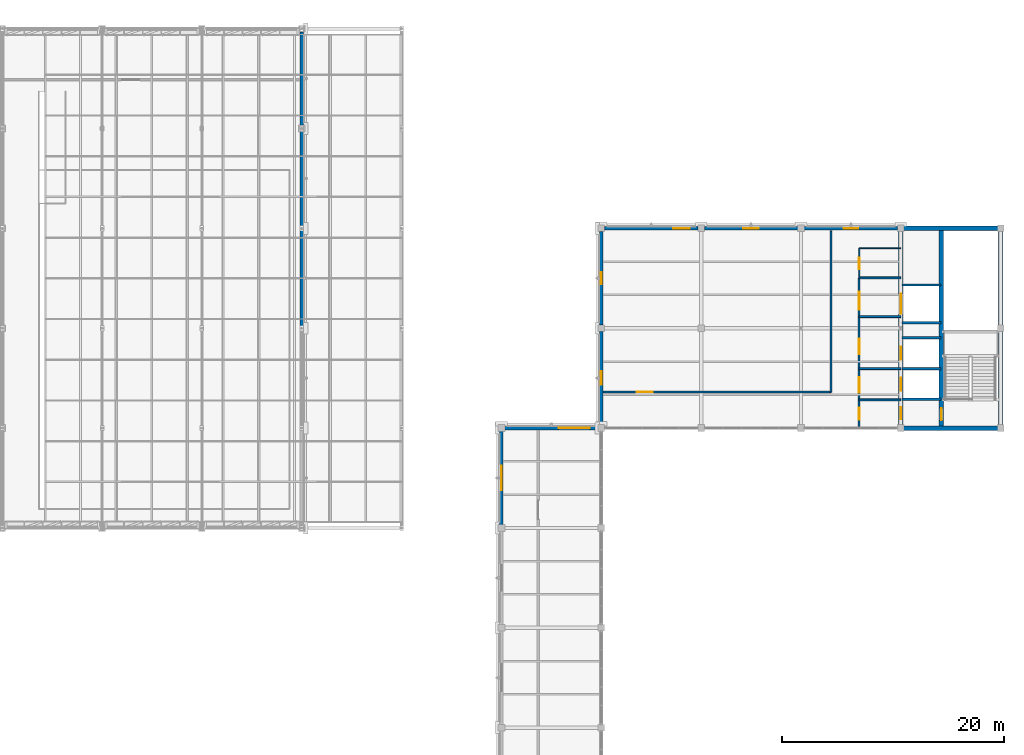
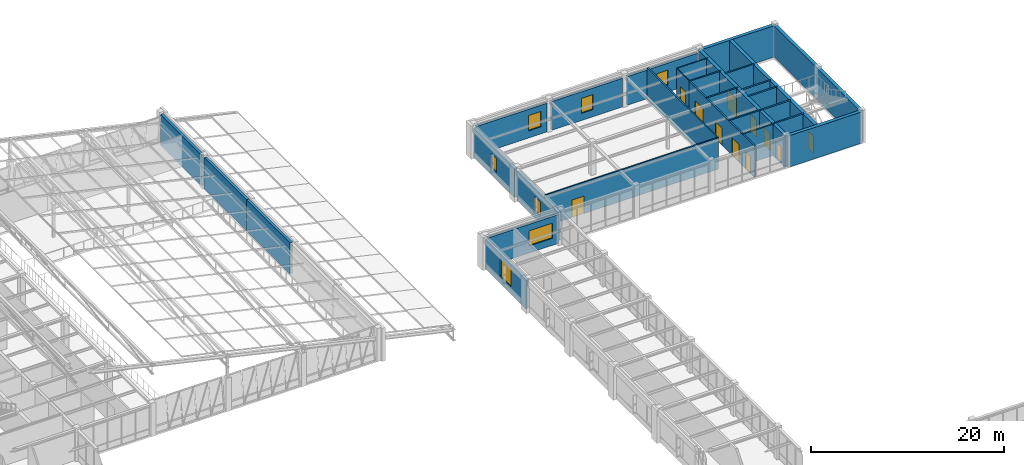
# One storey, part 116 of 130: 29 walls, 11 doors, 7 windows, 18 openings.
"""IFC4 building model written with IfcOpenShell, lengths in metres."""

from ifc_helpers import new_model, si_unit, direction, frame, frame_2d, origin, place, context, subcontext, project, spatial, rectangle, extrude, material, layer, layer_set, type_object, element, fill, save


model = new_model("IFC4")

# Units and contexts
model_context = context("Model", 3, precision=1e-05, world=origin(), true_north=direction((0.0, 1.0)))
body_context = subcontext(model_context, "Body", "Model", "MODEL_VIEW")
ifc_project = project(units=[si_unit("LENGTHUNIT", "METRE"), si_unit("AREAUNIT", "SQUARE_METRE"), si_unit("VOLUMEUNIT", "CUBIC_METRE"), si_unit("PLANEANGLEUNIT", "RADIAN"), si_unit("MASSUNIT", "GRAM", prefix="KILO")], contexts=[model_context])

# Site, building, storey
site_placement = place(None, origin())
site = spatial("IfcSite", under=ifc_project, at=site_placement, CompositionType="ELEMENT")
building_placement = place(site_placement, origin())
building = spatial("IfcBuilding", under=site, at=building_placement, Name="Lykobir Media Centre", CompositionType="ELEMENT")
storey_placement = place(building_placement, frame((0.0, 0.0, 19.199951171875)))
storey = spatial("IfcBuildingStorey", under=building, at=storey_placement, Name="L04", CompositionType="ELEMENT", Elevation=19.199951171875)

# Walls
ifc_material_1 = material(Name="Glazed Turquoise Terracotta", Category="masonry")
ifc_layer_1 = layer(ifc_material_1, 0.31005859375, Name="Glazed Turquoise Terracotta")
ifc_layer_set_1 = layer_set([ifc_layer_1], Name="Glazed Turquoise Terracotta")
wall_type_1 = type_object("IfcWallType", Name="EW-TER-310", PredefinedType="STANDARD", material=ifc_layer_set_1)
wall_1_placement = place(storey_placement, frame((72.0, 80.925048828125, 0.0), z_axis=(0.0, 0.0, 1.0), x_axis=(0.0, 1.0, 0.0)))
element("IfcWall", 1, at=wall_1_placement, inside=storey, type_object=wall_type_1, Name="Exterior wall WALL-L04-0281", PredefinedType="STANDARD", context=body_context, shape_type="SweptSolid", body=[
    extrude(rectangle(XDim=9.14990234375, YDim=0.31005859375, at=frame_2d((4.574951171875, 0.0))), origin(), (0.0, 0.0, 1.0), 3.93994140625),
])
wall_2_placement = place(storey_placement, frame((72.0, 89.925048828125, 0.0), z_axis=(0.0, 0.0, 1.0), x_axis=(0.0, 1.0, 0.0)))
element("IfcWall", 2, at=wall_2_placement, inside=storey, type_object=wall_type_1, Name="Exterior wall WALL-L04-0282", PredefinedType="STANDARD", context=body_context, shape_type="SweptSolid", body=[
    extrude(rectangle(XDim=8.7900390625, YDim=0.31005859375, at=frame_2d((4.39501953125, 0.0))), origin(), (0.0, 0.0, 1.0), 3.93994140625),
])
wall_3_placement = place(storey_placement, frame((72.0, 99.284912109375, 0.0), z_axis=(0.0, 0.0, 1.0), x_axis=(0.0, 1.0, 0.0)))
element("IfcWall", 3, at=wall_3_placement, inside=storey, type_object=wall_type_1, Name="Exterior wall WALL-L04-0283", PredefinedType="STANDARD", context=body_context, shape_type="SweptSolid", body=[
    extrude(rectangle(XDim=8.43017578125, YDim=0.31005859375, at=frame_2d((4.215087890625, 0.0))), origin(), (0.0, 0.0, 1.0), 3.93994140625),
])

# Wall, opening, window
wall_4_placement = place(storey_placement, frame((98.715087890625, 72.0, 0.0), z_axis=(0.0, 0.0, 1.0), x_axis=(-1.0, 0.0, 0.0)))
wall_4 = element("IfcWall", 4, at=wall_4_placement, inside=storey, type_object=wall_type_1, Name="Exterior wall WALL-L04-0294", PredefinedType="STANDARD", context=body_context, shape_type="SweptSolid", body=[
    extrude(rectangle(XDim=8.43017578125, YDim=0.31005859375, at=frame_2d((4.215087890625, 0.0))), origin(), (0.0, 0.0, 1.0), 3.623046875),
])
opening_1_placement = place(wall_4_placement, frame((0.75, 0.0, 0.89990234375)))
opening_1 = element("IfcOpeningElement", 5, at=opening_1_placement, cuts=wall_4, Name="Opening WN-2800x1900", PredefinedType="OPENING", context=body_context, shape_type="SweptSolid", body=[
    extrude(rectangle(XDim=2.800048828125, YDim=1.89990234375, at=frame_2d((1.39990234375, 0.949951171875))), frame((0.0, 0.1650390625, 0.0), z_axis=(0.0, -1.0, 0.0), x_axis=(1.0, 0.0, 0.0)), (0.0, 0.0, 1.0), 0.330078125),
])
ifc_material_2 = material(Name="Low-E Laminated Triple Glazing", Category="glass")
window_type_1 = type_object("IfcWindowType", Name="WN-2800x1900", PartitioningType="SINGLE_PANEL", PredefinedType="WINDOW", material=ifc_material_2)
window_1_placement = place(opening_1_placement, origin())
window_1 = element("IfcWindow", 6, at=window_1_placement, inside=storey, type_object=window_type_1, Name="Window WIN-L04-0108", OverallHeight=1.89990234375, OverallWidth=2.800048828125, PartitioningType="SINGLE_PANEL", PredefinedType="WINDOW", context=body_context, shape_type="SweptSolid", body=[
    extrude(rectangle(XDim=2.800048828125, YDim=1.89990234375, at=frame_2d((1.39990234375, 0.949951171875))), frame((0.0, 0.030029296875, 0.0), z_axis=(0.0, -1.0, 0.0), x_axis=(1.0, 0.0, 0.0)), (0.0, 0.0, 1.0), 0.06005859375),
])
fill(opening_1, window_1)

wall_5_placement = place(storey_placement, frame((90.0, 71.715087890625, 0.0), z_axis=(0.0, 0.0, 1.0), x_axis=(0.0, -1.0, 0.0)))
wall_5 = element("IfcWall", 7, at=wall_5_placement, inside=storey, type_object=wall_type_1, Name="Exterior wall WALL-L04-0300", PredefinedType="STANDARD", context=body_context, shape_type="SweptSolid", body=[
    extrude(rectangle(XDim=8.43017578125, YDim=0.31005859375, at=frame_2d((4.215087890625, 0.0))), origin(), (0.0, 0.0, 1.0), 3.635009765625),
])
opening_2_placement = place(wall_5_placement, frame((3.114990234375, 0.0, 0.89990234375)))
opening_2 = element("IfcOpeningElement", 8, at=opening_2_placement, cuts=wall_5, Name="Opening WN-2200x2300", PredefinedType="OPENING", context=body_context, shape_type="SweptSolid", body=[
    extrude(rectangle(XDim=2.199951171875, YDim=2.300048828125, at=frame_2d((1.10009765625, 1.14990234375))), frame((0.0, 0.1650390625, 0.0), z_axis=(0.0, -1.0, 0.0), x_axis=(1.0, 0.0, 0.0)), (0.0, 0.0, 1.0), 0.330078125),
])
window_type_2 = type_object("IfcWindowType", Name="WN-2200x2300", PartitioningType="SINGLE_PANEL", PredefinedType="WINDOW", material=ifc_material_2)
window_2_placement = place(opening_2_placement, origin())
window_2 = element("IfcWindow", 9, at=window_2_placement, inside=storey, type_object=window_type_2, Name="Window WIN-L04-0114", OverallHeight=2.300048828125, OverallWidth=2.199951171875, PartitioningType="SINGLE_PANEL", PredefinedType="WINDOW", context=body_context, shape_type="SweptSolid", body=[
    extrude(rectangle(XDim=2.199951171875, YDim=2.300048828125, at=frame_2d((1.10009765625, 1.14990234375))), frame((0.0, 0.030029296875, 0.0), z_axis=(0.0, -1.0, 0.0), x_axis=(1.0, 0.0, 0.0)), (0.0, 0.0, 1.0), 0.06005859375),
])
fill(opening_2, window_2)

wall_6_placement = place(storey_placement, frame((107.715087890625, 90.0, 0.0), z_axis=(0.0, 0.0, 1.0), x_axis=(-1.0, 0.0, 0.0)))
wall_6 = element("IfcWall", 10, at=wall_6_placement, inside=storey, type_object=wall_type_1, Name="Exterior wall WALL-L04-0307", PredefinedType="STANDARD", context=body_context, shape_type="SweptSolid", body=[
    extrude(rectangle(XDim=8.43017578125, YDim=0.31005859375, at=frame_2d((4.215087890625, 0.0))), origin(), (0.0, 0.0, 1.0), 3.625),
])
opening_3_placement = place(wall_6_placement, frame((0.75, 0.0, 0.89990234375)))
opening_3 = element("IfcOpeningElement", 11, at=opening_3_placement, cuts=wall_6, Name="Opening WN-1500x1950", PredefinedType="OPENING", context=body_context, shape_type="SweptSolid", body=[
    extrude(rectangle(XDim=1.5, YDim=1.949951171875, at=frame_2d((0.75, 0.97509765625))), frame((0.0, 0.1650390625, 0.0), z_axis=(0.0, -1.0, 0.0), x_axis=(1.0, 0.0, 0.0)), (0.0, 0.0, 1.0), 0.330078125),
])
window_type_3 = type_object("IfcWindowType", Name="WN-1500x1950", PartitioningType="SINGLE_PANEL", PredefinedType="WINDOW", material=ifc_material_2)
window_3_placement = place(opening_3_placement, origin())
window_3 = element("IfcWindow", 12, at=window_3_placement, inside=storey, type_object=window_type_3, Name="Window WIN-L04-0120", OverallHeight=1.949951171875, OverallWidth=1.5, PartitioningType="SINGLE_PANEL", PredefinedType="WINDOW", context=body_context, shape_type="SweptSolid", body=[
    extrude(rectangle(XDim=1.5, YDim=1.949951171875, at=frame_2d((0.75, 0.97509765625))), frame((0.0, 0.030029296875, 0.0), z_axis=(0.0, -1.0, 0.0), x_axis=(1.0, 0.0, 0.0)), (0.0, 0.0, 1.0), 0.06005859375),
])
fill(opening_3, window_3)

wall_7_placement = place(storey_placement, frame((116.715087890625, 90.0, 0.0), z_axis=(0.0, 0.0, 1.0), x_axis=(-1.0, 0.0, 0.0)))
wall_7 = element("IfcWall", 13, at=wall_7_placement, inside=storey, type_object=wall_type_1, Name="Exterior wall WALL-L04-0308", PredefinedType="STANDARD", context=body_context, shape_type="SweptSolid", body=[
    extrude(rectangle(XDim=8.43017578125, YDim=0.31005859375, at=frame_2d((4.215087890625, 0.0))), origin(), (0.0, 0.0, 1.0), 3.623046875),
])
opening_4_placement = place(wall_7_placement, frame((3.514892578125, 0.0, 0.89990234375)))
opening_4 = element("IfcOpeningElement", 14, at=opening_4_placement, cuts=wall_7, Name="Opening WN-1400x1900", PredefinedType="OPENING", context=body_context, shape_type="SweptSolid", body=[
    extrude(rectangle(XDim=1.39990234375, YDim=1.89990234375, at=frame_2d((0.699951171875, 0.949951171875))), frame((0.0, 0.1650390625, 0.0), z_axis=(0.0, -1.0, 0.0), x_axis=(1.0, 0.0, 0.0)), (0.0, 0.0, 1.0), 0.330078125),
])
window_type_4 = type_object("IfcWindowType", Name="WN-1400x1900", PartitioningType="SINGLE_PANEL", PredefinedType="WINDOW", material=ifc_material_2)
window_4_placement = place(opening_4_placement, origin())
window_4 = element("IfcWindow", 15, at=window_4_placement, inside=storey, type_object=window_type_4, Name="Window WIN-L04-0121", OverallHeight=1.89990234375, OverallWidth=1.39990234375, PartitioningType="SINGLE_PANEL", PredefinedType="WINDOW", context=body_context, shape_type="SweptSolid", body=[
    extrude(rectangle(XDim=1.39990234375, YDim=1.89990234375, at=frame_2d((0.699951171875, 0.949951171875))), frame((0.0, 0.030029296875, 0.0), z_axis=(0.0, -1.0, 0.0), x_axis=(1.0, 0.0, 0.0)), (0.0, 0.0, 1.0), 0.06005859375),
])
fill(opening_4, window_4)

wall_8_placement = place(storey_placement, frame((125.715087890625, 90.0, 0.0), z_axis=(0.0, 0.0, 1.0), x_axis=(-1.0, 0.0, 0.0)))
wall_8 = element("IfcWall", 16, at=wall_8_placement, inside=storey, type_object=wall_type_1, Name="Exterior wall WALL-L04-0309", PredefinedType="STANDARD", context=body_context, shape_type="SweptSolid", body=[
    extrude(rectangle(XDim=8.43017578125, YDim=0.31005859375, at=frame_2d((4.215087890625, 0.0))), origin(), (0.0, 0.0, 1.0), 3.635009765625),
])
opening_5_placement = place(wall_8_placement, frame((3.56494140625, 0.0, 0.89990234375)))
opening_5 = element("IfcOpeningElement", 17, at=opening_5_placement, cuts=wall_8, Name="Opening WN-1300x1850", PredefinedType="OPENING", context=body_context, shape_type="SweptSolid", body=[
    extrude(rectangle(XDim=1.300048828125, YDim=1.85009765625, at=frame_2d((0.64990234375, 0.925048828125))), frame((0.0, 0.1650390625, 0.0), z_axis=(0.0, -1.0, 0.0), x_axis=(1.0, 0.0, 0.0)), (0.0, 0.0, 1.0), 0.330078125),
])
window_type_5 = type_object("IfcWindowType", Name="WN-1300x1850", PartitioningType="SINGLE_PANEL", PredefinedType="WINDOW", material=ifc_material_2)
window_5_placement = place(opening_5_placement, origin())
window_5 = element("IfcWindow", 18, at=window_5_placement, inside=storey, type_object=window_type_5, Name="Window WIN-L04-0122", OverallHeight=1.85009765625, OverallWidth=1.300048828125, PartitioningType="SINGLE_PANEL", PredefinedType="WINDOW", context=body_context, shape_type="SweptSolid", body=[
    extrude(rectangle(XDim=1.300048828125, YDim=1.85009765625, at=frame_2d((0.64990234375, 0.925048828125))), frame((0.0, 0.030029296875, 0.0), z_axis=(0.0, -1.0, 0.0), x_axis=(1.0, 0.0, 0.0)), (0.0, 0.0, 1.0), 0.06005859375),
])
fill(opening_5, window_5)

wall_9_placement = place(storey_placement, frame((99.0, 80.715087890625, 0.0), z_axis=(0.0, 0.0, 1.0), x_axis=(0.0, -1.0, 0.0)))
wall_9 = element("IfcWall", 19, at=wall_9_placement, inside=storey, type_object=wall_type_1, Name="Exterior wall WALL-L04-0310", PredefinedType="STANDARD", context=body_context, shape_type="SweptSolid", body=[
    extrude(rectangle(XDim=8.43017578125, YDim=0.31005859375, at=frame_2d((4.215087890625, 0.0))), origin(), (0.0, 0.0, 1.0), 3.64501953125),
])
opening_6_placement = place(wall_9_placement, frame((3.614990234375, 0.0, 0.89990234375)))
opening_6 = element("IfcOpeningElement", 20, at=opening_6_placement, cuts=wall_9, Name="Opening WN-1200x1800", PredefinedType="OPENING", context=body_context, shape_type="SweptSolid", body=[
    extrude(rectangle(XDim=1.199951171875, YDim=1.800048828125, at=frame_2d((0.60009765625, 0.89990234375))), frame((0.0, 0.1650390625, 0.0), z_axis=(0.0, -1.0, 0.0), x_axis=(1.0, 0.0, 0.0)), (0.0, 0.0, 1.0), 0.330078125),
])
window_type_6 = type_object("IfcWindowType", Name="WN-1200x1800", PartitioningType="SINGLE_PANEL", PredefinedType="WINDOW", material=ifc_material_2)
window_6_placement = place(opening_6_placement, origin())
window_6 = element("IfcWindow", 21, at=window_6_placement, inside=storey, type_object=window_type_6, Name="Window WIN-L04-0123", OverallHeight=1.800048828125, OverallWidth=1.199951171875, PartitioningType="SINGLE_PANEL", PredefinedType="WINDOW", context=body_context, shape_type="SweptSolid", body=[
    extrude(rectangle(XDim=1.199951171875, YDim=1.800048828125, at=frame_2d((0.60009765625, 0.89990234375))), frame((0.0, 0.030029296875, 0.0), z_axis=(0.0, -1.0, 0.0), x_axis=(1.0, 0.0, 0.0)), (0.0, 0.0, 1.0), 0.06005859375),
])
fill(opening_6, window_6)

wall_10_placement = place(storey_placement, frame((99.0, 89.715087890625, 0.0), z_axis=(0.0, 0.0, 1.0), x_axis=(0.0, -1.0, 0.0)))
wall_10 = element("IfcWall", 22, at=wall_10_placement, inside=storey, type_object=wall_type_1, Name="Exterior wall WALL-L04-0311", PredefinedType="STANDARD", context=body_context, shape_type="SweptSolid", body=[
    extrude(rectangle(XDim=8.43017578125, YDim=0.31005859375, at=frame_2d((4.215087890625, 0.0))), origin(), (0.0, 0.0, 1.0), 3.64501953125),
])
opening_7_placement = place(wall_10_placement, frame((3.6650390625, 0.0, 0.89990234375)))
opening_7 = element("IfcOpeningElement", 23, at=opening_7_placement, cuts=wall_10, Name="Opening WN-1100x1750", PredefinedType="OPENING", context=body_context, shape_type="SweptSolid", body=[
    extrude(rectangle(XDim=1.10009765625, YDim=1.75, at=frame_2d((0.550048828125, 0.875))), frame((0.0, 0.1650390625, 0.0), z_axis=(0.0, -1.0, 0.0), x_axis=(1.0, 0.0, 0.0)), (0.0, 0.0, 1.0), 0.330078125),
])
window_type_7 = type_object("IfcWindowType", Name="WN-1100x1750", PartitioningType="SINGLE_PANEL", PredefinedType="WINDOW", material=ifc_material_2)
window_7_placement = place(opening_7_placement, origin())
window_7 = element("IfcWindow", 24, at=window_7_placement, inside=storey, type_object=window_type_7, Name="Window WIN-L04-0124", OverallHeight=1.75, OverallWidth=1.10009765625, PartitioningType="SINGLE_PANEL", PredefinedType="WINDOW", context=body_context, shape_type="SweptSolid", body=[
    extrude(rectangle(XDim=1.10009765625, YDim=1.75, at=frame_2d((0.550048828125, 0.875))), frame((0.0, 0.030029296875, 0.0), z_axis=(0.0, -1.0, 0.0), x_axis=(1.0, 0.0, 0.0)), (0.0, 0.0, 1.0), 0.06005859375),
])
fill(opening_7, window_7)

# Wall, opening, door
ifc_material_3 = material(Name="Acoustic Gypsum Board", Category="gypsum")
ifc_layer_2 = layer(ifc_material_3, 0.159912109375, Name="Acoustic Gypsum Board")
ifc_layer_set_2 = layer_set([ifc_layer_2], Name="Acoustic Gypsum Board")
wall_type_2 = type_object("IfcWallType", Name="IW-COR-160", PredefinedType="PARTITIONING", material=ifc_layer_set_2)
wall_11_placement = place(storey_placement, frame((99.0, 75.25, 0.0), z_axis=(0.0, 0.0, 1.0), x_axis=(1.0, 0.0, 0.0)))
wall_11 = element("IfcWall", 25, at=wall_11_placement, inside=storey, type_object=wall_type_2, Name="Wall IWALL-L04-0752", PredefinedType="PARTITIONING", context=body_context, shape_type="SweptSolid", body=[
    extrude(rectangle(XDim=20.699951171875, YDim=0.159912109375, at=frame_2d((10.35009765625, 0.0))), origin(), (0.0, 0.0, 1.0), 3.9599609375),
])
opening_8_placement = place(wall_11_placement, frame((3.199951171875, 0.0, 0.0)))
opening_8 = element("IfcOpeningElement", 26, at=opening_8_placement, cuts=wall_11, Name="Opening D-L04-ENB1", PredefinedType="OPENING", context=body_context, shape_type="SweptSolid", body=[
    extrude(rectangle(XDim=1.449951171875, YDim=2.219970703125, at=frame_2d((0.72509765625, 1.10986328125))), frame((0.0, 0.08984375, 0.0), z_axis=(0.0, -1.0, 0.0), x_axis=(1.0, 0.0, 0.0)), (0.0, 0.0, 1.0), 0.179931640625),
])
ifc_material_4 = material(Name="Acoustic Timber Panelling", Category="wood")
door_type_1 = type_object("IfcDoorType", Name="FD-1450x2220", OperationType="NOTDEFINED", PredefinedType="DOOR", material=ifc_material_4)
door_1_placement = place(opening_8_placement, origin())
door_1 = element("IfcDoor", 27, at=door_1_placement, inside=storey, type_object=door_type_1, Name="Door D-L04-ENB1", OperationType="DOUBLE_DOOR_SINGLE_SWING", OverallHeight=2.219970703125, OverallWidth=1.449951171875, PredefinedType="DOOR", context=body_context, shape_type="SweptSolid", body=[
    extrude(rectangle(XDim=1.449951171875, YDim=2.219970703125, at=frame_2d((0.72509765625, 1.10986328125))), frame((0.0, 0.02490234375, 0.0), z_axis=(0.0, -1.0, 0.0), x_axis=(1.0, 0.0, 0.0)), (0.0, 0.0, 1.0), 0.050048828125),
])
fill(opening_8, door_1)

# Wall
wall_12_placement = place(storey_placement, frame((119.699951171875, 75.25, 0.0), z_axis=(0.0, 0.0, 1.0), x_axis=(0.0, 1.0, 0.0)))
element("IfcWall", 28, at=wall_12_placement, inside=storey, type_object=wall_type_2, Name="Wall IWALL-L04-0753", PredefinedType="PARTITIONING", context=body_context, shape_type="SweptSolid", body=[
    extrude(rectangle(XDim=14.530029296875, YDim=0.159912109375, at=frame_2d((7.26513671875, 0.0))), origin(), (0.0, 0.0, 1.0), 3.9599609375),
])

# Wall, openings, doors
ifc_layer_3 = layer(ifc_material_3, 0.179931640625, Name="Acoustic Gypsum Board")
ifc_layer_set_3 = layer_set([ifc_layer_3], Name="Acoustic Gypsum Board")
wall_type_3 = type_object("IfcWallType", Name="IW-FFLOB-180", PredefinedType="PARTITIONING", material=ifc_layer_set_3)
wall_13_placement = place(storey_placement, frame((122.25, 72.0, 0.0), z_axis=(0.0, 0.0, 1.0), x_axis=(0.0, 1.0, 0.0)))
wall_13 = element("IfcWall", 29, at=wall_13_placement, inside=storey, type_object=wall_type_3, Name="Wall IWALL-L04-0550", PredefinedType="PARTITIONING", context=body_context, shape_type="SweptSolid", body=[
    extrude(rectangle(XDim=13.550048828125, YDim=0.179931640625, at=frame_2d((6.77490234375, 0.0))), origin(), (0.0, 0.0, 1.0), 3.9599609375),
])
opening_9_placement = place(wall_13_placement, frame((0.75, 0.0, 0.0)))
opening_9 = element("IfcOpeningElement", 30, at=opening_9_placement, cuts=wall_13, Name="Opening D-L04-C4LV", PredefinedType="OPENING", context=body_context, shape_type="SweptSolid", body=[
    extrude(rectangle(XDim=1.10009765625, YDim=2.159912109375, at=frame_2d((0.550048828125, 1.080078125))), frame((0.0, 0.099853515625, 0.0), z_axis=(0.0, -1.0, 0.0), x_axis=(1.0, 0.0, 0.0)), (0.0, 0.0, 1.0), 0.199951171875),
])
opening_10_placement = place(wall_13_placement, frame((3.199951171875, 0.0, 0.0)))
opening_10 = element("IfcOpeningElement", 31, at=opening_10_placement, cuts=wall_13, Name="Opening D-L04-C4PL", PredefinedType="OPENING", context=body_context, shape_type="SweptSolid", body=[
    extrude(rectangle(XDim=1.39990234375, YDim=2.199951171875, at=frame_2d((0.699951171875, 1.10009765625))), frame((0.0, 0.099853515625, 0.0), z_axis=(0.0, -1.0, 0.0), x_axis=(1.0, 0.0, 0.0)), (0.0, 0.0, 1.0), 0.199951171875),
])
opening_11_placement = place(wall_13_placement, frame((6.64990234375, 0.0, 0.0)))
opening_11 = element("IfcOpeningElement", 32, at=opening_11_placement, cuts=wall_13, Name="Opening D-L04-C4FF", PredefinedType="OPENING", context=body_context, shape_type="SweptSolid", body=[
    extrude(rectangle(XDim=1.39990234375, YDim=2.199951171875, at=frame_2d((0.699951171875, 1.10009765625))), frame((0.0, 0.099853515625, 0.0), z_axis=(0.0, -1.0, 0.0), x_axis=(1.0, 0.0, 0.0)), (0.0, 0.0, 1.0), 0.199951171875),
])
opening_12_placement = place(wall_13_placement, frame((10.64990234375, 0.0, 0.0)))
opening_12 = element("IfcOpeningElement", 33, at=opening_12_placement, cuts=wall_13, Name="Opening D-L04-C4GL", PredefinedType="OPENING", context=body_context, shape_type="SweptSolid", body=[
    extrude(rectangle(XDim=1.64990234375, YDim=2.25, at=frame_2d((0.824951171875, 1.125))), frame((0.0, 0.099853515625, 0.0), z_axis=(0.0, -1.0, 0.0), x_axis=(1.0, 0.0, 0.0)), (0.0, 0.0, 1.0), 0.199951171875),
])
door_type_2 = type_object("IfcDoorType", Name="FD-1100x2160", OperationType="NOTDEFINED", PredefinedType="DOOR", material=ifc_material_4)
door_2_placement = place(opening_9_placement, origin())
door_2 = element("IfcDoor", 34, at=door_2_placement, inside=storey, type_object=door_type_2, Name="Door D-L04-C4LV", OperationType="SINGLE_SWING_LEFT", OverallHeight=2.159912109375, OverallWidth=1.10009765625, PredefinedType="DOOR", context=body_context, shape_type="SweptSolid", body=[
    extrude(rectangle(XDim=1.10009765625, YDim=2.159912109375, at=frame_2d((0.550048828125, 1.080078125))), frame((0.0, 0.02490234375, 0.0), z_axis=(0.0, -1.0, 0.0), x_axis=(1.0, 0.0, 0.0)), (0.0, 0.0, 1.0), 0.050048828125),
])
fill(opening_9, door_2)
door_type_3 = type_object("IfcDoorType", Name="FD-1400x2200", OperationType="NOTDEFINED", PredefinedType="DOOR", material=ifc_material_4)
door_3_placement = place(opening_10_placement, origin())
door_3 = element("IfcDoor", 35, at=door_3_placement, inside=storey, type_object=door_type_3, Name="Door D-L04-C4PL", OperationType="DOUBLE_DOOR_SINGLE_SWING", OverallHeight=2.199951171875, OverallWidth=1.39990234375, PredefinedType="DOOR", context=body_context, shape_type="SweptSolid", body=[
    extrude(rectangle(XDim=1.39990234375, YDim=2.199951171875, at=frame_2d((0.699951171875, 1.10009765625))), frame((0.0, 0.02490234375, 0.0), z_axis=(0.0, -1.0, 0.0), x_axis=(1.0, 0.0, 0.0)), (0.0, 0.0, 1.0), 0.050048828125),
])
fill(opening_10, door_3)
door_4_placement = place(opening_11_placement, origin())
door_4 = element("IfcDoor", 36, at=door_4_placement, inside=storey, type_object=door_type_3, Name="Door D-L04-C4FF", OperationType="DOUBLE_DOOR_SINGLE_SWING", OverallHeight=2.199951171875, OverallWidth=1.39990234375, PredefinedType="DOOR", context=body_context, shape_type="SweptSolid", body=[
    extrude(rectangle(XDim=1.39990234375, YDim=2.199951171875, at=frame_2d((0.699951171875, 1.10009765625))), frame((0.0, 0.02490234375, 0.0), z_axis=(0.0, -1.0, 0.0), x_axis=(1.0, 0.0, 0.0)), (0.0, 0.0, 1.0), 0.050048828125),
])
fill(opening_11, door_4)
door_type_4 = type_object("IfcDoorType", Name="FD-1650x2250", OperationType="NOTDEFINED", PredefinedType="DOOR", material=ifc_material_4)
door_5_placement = place(opening_12_placement, origin())
door_5 = element("IfcDoor", 37, at=door_5_placement, inside=storey, type_object=door_type_4, Name="Door D-L04-C4GL", OperationType="DOUBLE_DOOR_SINGLE_SWING", OverallHeight=2.25, OverallWidth=1.64990234375, PredefinedType="DOOR", context=body_context, shape_type="SweptSolid", body=[
    extrude(rectangle(XDim=1.64990234375, YDim=2.25, at=frame_2d((0.824951171875, 1.125))), frame((0.0, 0.02490234375, 0.0), z_axis=(0.0, -1.0, 0.0), x_axis=(1.0, 0.0, 0.0)), (0.0, 0.0, 1.0), 0.050048828125),
])
fill(opening_12, door_5)

# Walls
for number, where, z_axis, x_axis, name in (
    (38, (122.25, 74.550048828125, 0.0), (0.0, 0.0, 1.0), (1.0, 0.0, 0.0), "Wall IWALL-L04-0551"),
    (39, (122.25, 77.35009765625, 0.0), (0.0, 0.0, 1.0), (1.0, 0.0, 0.0), "Wall IWALL-L04-0552"),
    (40, (122.25, 82.050048828125, 0.0), (0.0, 0.0, 1.0), (1.0, 0.0, 0.0), "Wall IWALL-L04-0553"),
    (41, (122.25, 85.550048828125, 0.0), (0.0, 0.0, 1.0), (1.0, 0.0, 0.0), "Wall IWALL-L04-0554"),
):
    element("IfcWall", number, at=place(storey_placement, frame(where, z_axis=z_axis, x_axis=x_axis)), inside=storey, type_object=wall_type_3, Name=name, PredefinedType="PARTITIONING", context=body_context, shape_type="SweptSolid", body=[
        extrude(rectangle(XDim=3.75, YDim=0.179931640625, at=frame_2d((1.875, 0.0))), origin(), (0.0, 0.0, 1.0), 3.9599609375),
    ])
ifc_material_5 = material(Name="Concrete C30/37", Category="concrete")
ifc_layer_4 = layer(ifc_material_5, 0.199951171875, Name="Concrete C30/37")
ifc_layer_set_4 = layer_set([ifc_layer_4], Name="Concrete C30/37")
wall_type_4 = type_object("IfcWallType", Name="IW-SHAFT-200", PredefinedType="PARTITIONING", material=ifc_layer_set_4)
for number, where, z_axis, x_axis, name in (
    (42, (126.10009765625, 74.60009765625, 0.0), (0.0, 0.0, 1.0), (1.0, 0.0, 0.0), "Wall IWALL-L04-0545"),
    (43, (126.10009765625, 77.35009765625, 0.0), (0.0, 0.0, 1.0), (1.0, 0.0, 0.0), "Wall IWALL-L04-0546"),
    (44, (126.10009765625, 80.14990234375, 0.0), (0.0, 0.0, 1.0), (1.0, 0.0, 0.0), "Wall IWALL-L04-0547"),
    (45, (126.10009765625, 81.5, 0.0), (0.0, 0.0, 1.0), (1.0, 0.0, 0.0), "Wall IWALL-L04-0548"),
    (46, (126.10009765625, 84.89990234375, 0.0), (0.0, 0.0, 1.0), (1.0, 0.0, 0.0), "Wall IWALL-L04-0549"),
):
    element("IfcWall", number, at=place(storey_placement, frame(where, z_axis=z_axis, x_axis=x_axis)), inside=storey, type_object=wall_type_4, Name=name, PredefinedType="PARTITIONING", context=body_context, shape_type="SweptSolid", body=[
        extrude(rectangle(XDim=3.5, YDim=0.199951171875, at=frame_2d((1.75, 0.0))), origin(), (0.0, 0.0, 1.0), 3.9599609375),
    ])

# Wall, opening, door
ifc_layer_5 = layer(ifc_material_3, 0.094970703125, Name="Acoustic Gypsum Board")
ifc_layer_set_5 = layer_set([ifc_layer_5], Name="Acoustic Gypsum Board")
wall_type_5 = type_object("IfcWallType", Name="IW-WC-095", PredefinedType="PARTITIONING", material=ifc_layer_set_5)
wall_14_placement = place(storey_placement, frame((122.25, 85.550048828125, 0.0), z_axis=(0.0, 0.0, 1.0), x_axis=(0.0, 1.0, 0.0)))
wall_14 = element("IfcWall", 47, at=wall_14_placement, inside=storey, type_object=wall_type_5, Name="Wall IWALL-L04-0555", PredefinedType="PARTITIONING", context=body_context, shape_type="SweptSolid", body=[
    extrude(rectangle(XDim=2.64990234375, YDim=0.094970703125, at=frame_2d((1.324951171875, 0.0))), origin(), (0.0, 0.0, 1.0), 3.9599609375),
])
opening_13_placement = place(wall_14_placement, frame((0.75, 0.0, 0.0)))
opening_13 = element("IfcOpeningElement", 48, at=opening_13_placement, cuts=wall_14, Name="Opening D-L04-WCA4", PredefinedType="OPENING", context=body_context, shape_type="SweptSolid", body=[
    extrude(rectangle(XDim=1.050048828125, YDim=2.1298828125, at=frame_2d((0.52490234375, 1.06494140625))), frame((0.0, 0.057373046875, 0.0), z_axis=(0.0, -1.0, 0.0), x_axis=(1.0, 0.0, 0.0)), (0.0, 0.0, 1.0), 0.114990234375),
])
door_type_5 = type_object("IfcDoorType", Name="ID-1050x2130", OperationType="NOTDEFINED", PredefinedType="DOOR", material=ifc_material_4)
door_6_placement = place(opening_13_placement, origin())
door_6 = element("IfcDoor", 49, at=door_6_placement, inside=storey, type_object=door_type_5, Name="Door D-L04-WCA4", OperationType="SINGLE_SWING_RIGHT", OverallHeight=2.1298828125, OverallWidth=1.050048828125, PredefinedType="DOOR", context=body_context, shape_type="SweptSolid", body=[
    extrude(rectangle(XDim=1.050048828125, YDim=2.1298828125, at=frame_2d((0.52490234375, 1.06494140625))), frame((0.0, 0.02490234375, 0.0), z_axis=(0.0, -1.0, 0.0), x_axis=(1.0, 0.0, 0.0)), (0.0, 0.0, 1.0), 0.050048828125),
])
fill(opening_13, door_6)

# Wall
wall_15_placement = place(storey_placement, frame((122.25, 88.199951171875, 0.0), z_axis=(0.0, 0.0, 1.0), x_axis=(1.0, 0.0, 0.0)))
element("IfcWall", 50, at=wall_15_placement, inside=storey, type_object=wall_type_5, Name="Wall IWALL-L04-0556", PredefinedType="PARTITIONING", context=body_context, shape_type="SweptSolid", body=[
    extrude(rectangle(XDim=3.75, YDim=0.094970703125, at=frame_2d((1.875, 0.0))), origin(), (0.0, 0.0, 1.0), 3.9599609375),
])

# Wall, openings, doors
ifc_material_6 = material(Name="Concrete C40/50", Category="concrete")
ifc_layer_6 = layer(ifc_material_6, 0.39990234375, Name="Concrete C40/50")
ifc_layer_set_6 = layer_set([ifc_layer_6], Name="Concrete C40/50")
wall_type_6 = type_object("IfcWallType", Name="SW-CORE-400", PredefinedType="SHEAR", material=ifc_layer_set_6)
wall_16_placement = place(storey_placement, frame((126.0, 90.0, 0.0), z_axis=(0.0, 0.0, 1.0), x_axis=(0.0, -1.0, 0.0)))
wall_16 = element("IfcWall", 51, at=wall_16_placement, inside=storey, type_object=wall_type_6, Name="Wall IWALL-L04-0543", PredefinedType="SHEAR", context=body_context, shape_type="SweptSolid", body=[
    extrude(rectangle(XDim=18.0, YDim=0.39990234375, at=frame_2d((9.0, 0.0))), origin(), (0.0, 0.0, 1.0), 3.9599609375),
])
opening_14_placement = place(wall_16_placement, frame((16.10009765625, 0.0, 0.0)))
opening_14 = element("IfcOpeningElement", 52, at=opening_14_placement, cuts=wall_16, Name="Opening D-L04-C4VB", PredefinedType="OPENING", context=body_context, shape_type="SweptSolid", body=[
    extrude(rectangle(XDim=1.10009765625, YDim=2.159912109375, at=frame_2d((0.550048828125, 1.080078125))), frame((0.0, 0.2099609375, 0.0), z_axis=(0.0, -1.0, 0.0), x_axis=(1.0, 0.0, 0.0)), (0.0, 0.0, 1.0), 0.419921875),
])
opening_15_placement = place(wall_16_placement, frame((13.449951171875, 0.0, 0.0)))
opening_15 = element("IfcOpeningElement", 53, at=opening_15_placement, cuts=wall_16, Name="Opening LD-L04-PL-4", PredefinedType="OPENING", context=body_context, shape_type="SweptSolid", body=[
    extrude(rectangle(XDim=1.199951171875, YDim=2.199951171875, at=frame_2d((0.60009765625, 1.10009765625))), frame((0.0, 0.2099609375, 0.0), z_axis=(0.0, -1.0, 0.0), x_axis=(1.0, 0.0, 0.0)), (0.0, 0.0, 1.0), 0.419921875),
])
opening_16_placement = place(wall_16_placement, frame((10.64990234375, 0.0, 0.0)))
opening_16 = element("IfcOpeningElement", 54, at=opening_16_placement, cuts=wall_16, Name="Opening LD-L04-FL-3", PredefinedType="OPENING", context=body_context, shape_type="SweptSolid", body=[
    extrude(rectangle(XDim=1.199951171875, YDim=2.199951171875, at=frame_2d((0.60009765625, 1.10009765625))), frame((0.0, 0.2099609375, 0.0), z_axis=(0.0, -1.0, 0.0), x_axis=(1.0, 0.0, 0.0)), (0.0, 0.0, 1.0), 0.419921875),
])
opening_17_placement = place(wall_16_placement, frame((5.89990234375, 0.0, 0.0)))
opening_17 = element("IfcOpeningElement", 55, at=opening_17_placement, cuts=wall_16, Name="Opening LD-L04-GL-1", PredefinedType="OPENING", context=body_context, shape_type="SweptSolid", body=[
    extrude(rectangle(XDim=1.800048828125, YDim=2.35009765625, at=frame_2d((0.89990234375, 1.175048828125))), frame((0.0, 0.2099609375, 0.0), z_axis=(0.0, -1.0, 0.0), x_axis=(1.0, 0.0, 0.0)), (0.0, 0.0, 1.0), 0.419921875),
])
door_7_placement = place(opening_14_placement, origin())
door_7 = element("IfcDoor", 56, at=door_7_placement, inside=storey, type_object=door_type_2, Name="Door D-L04-C4VB", OperationType="SINGLE_SWING_RIGHT", OverallHeight=2.159912109375, OverallWidth=1.10009765625, PredefinedType="DOOR", context=body_context, shape_type="SweptSolid", body=[
    extrude(rectangle(XDim=1.10009765625, YDim=2.159912109375, at=frame_2d((0.550048828125, 1.080078125))), frame((0.0, 0.02490234375, 0.0), z_axis=(0.0, -1.0, 0.0), x_axis=(1.0, 0.0, 0.0)), (0.0, 0.0, 1.0), 0.050048828125),
])
fill(opening_14, door_7)
ifc_material_7 = material(Name="Anodized Aluminium AW-6060", Category="aluminium")
door_type_6 = type_object("IfcDoorType", Name="LD-1200x2200", OperationType="NOTDEFINED", PredefinedType="DOOR", material=ifc_material_7)
door_8_placement = place(opening_15_placement, origin())
door_8 = element("IfcDoor", 57, at=door_8_placement, inside=storey, type_object=door_type_6, Name="Lift landing door PL-4 L04", OperationType="SLIDING_TO_LEFT", OverallHeight=2.199951171875, OverallWidth=1.199951171875, PredefinedType="DOOR", context=body_context, shape_type="SweptSolid", body=[
    extrude(rectangle(XDim=1.199951171875, YDim=2.199951171875, at=frame_2d((0.60009765625, 1.10009765625))), frame((0.0, 0.02490234375, 0.0), z_axis=(0.0, -1.0, 0.0), x_axis=(1.0, 0.0, 0.0)), (0.0, 0.0, 1.0), 0.050048828125),
])
fill(opening_15, door_8)
door_9_placement = place(opening_16_placement, origin())
door_9 = element("IfcDoor", 58, at=door_9_placement, inside=storey, type_object=door_type_6, Name="Firefighting lift landing door FL-3 L04", OperationType="SLIDING_TO_LEFT", OverallHeight=2.199951171875, OverallWidth=1.199951171875, PredefinedType="DOOR", context=body_context, shape_type="SweptSolid", body=[
    extrude(rectangle(XDim=1.199951171875, YDim=2.199951171875, at=frame_2d((0.60009765625, 1.10009765625))), frame((0.0, 0.02490234375, 0.0), z_axis=(0.0, -1.0, 0.0), x_axis=(1.0, 0.0, 0.0)), (0.0, 0.0, 1.0), 0.050048828125),
])
fill(opening_16, door_9)
door_type_7 = type_object("IfcDoorType", Name="LD-1800x2350", OperationType="NOTDEFINED", PredefinedType="DOOR", material=ifc_material_7)
door_10_placement = place(opening_17_placement, origin())
door_10 = element("IfcDoor", 59, at=door_10_placement, inside=storey, type_object=door_type_7, Name="Goods lift landing door GL-1 L04", OperationType="DOUBLE_DOOR_SLIDING", OverallHeight=2.35009765625, OverallWidth=1.800048828125, PredefinedType="DOOR", context=body_context, shape_type="SweptSolid", body=[
    extrude(rectangle(XDim=1.800048828125, YDim=2.35009765625, at=frame_2d((0.89990234375, 1.175048828125))), frame((0.0, 0.02490234375, 0.0), z_axis=(0.0, -1.0, 0.0), x_axis=(1.0, 0.0, 0.0)), (0.0, 0.0, 1.0), 0.050048828125),
])
fill(opening_17, door_10)

# Wall, opening, door
wall_17_placement = place(storey_placement, frame((129.64990234375, 72.0, 0.0), z_axis=(0.0, 0.0, 1.0), x_axis=(0.0, 1.0, 0.0)))
wall_17 = element("IfcWall", 60, at=wall_17_placement, inside=storey, type_object=wall_type_6, Name="Wall IWALL-L04-0544", PredefinedType="SHEAR", context=body_context, shape_type="SweptSolid", body=[
    extrude(rectangle(XDim=18.0, YDim=0.39990234375, at=frame_2d((9.0, 0.0))), origin(), (0.0, 0.0, 1.0), 3.9599609375),
])
opening_18_placement = place(wall_17_placement, frame((0.699951171875, 0.0, 0.0)))
opening_18 = element("IfcOpeningElement", 61, at=opening_18_placement, cuts=wall_17, Name="Opening D-L04-C4ST", PredefinedType="OPENING", context=body_context, shape_type="SweptSolid", body=[
    extrude(rectangle(XDim=1.10009765625, YDim=2.159912109375, at=frame_2d((0.550048828125, 1.080078125))), frame((0.0, 0.2099609375, 0.0), z_axis=(0.0, -1.0, 0.0), x_axis=(1.0, 0.0, 0.0)), (0.0, 0.0, 1.0), 0.419921875),
])
door_11_placement = place(opening_18_placement, origin())
door_11 = element("IfcDoor", 62, at=door_11_placement, inside=storey, type_object=door_type_2, Name="L04 ST-4 stairwell fire door", OperationType="SINGLE_SWING_LEFT", OverallHeight=2.159912109375, OverallWidth=1.10009765625, PredefinedType="DOOR", context=body_context, shape_type="SweptSolid", body=[
    extrude(rectangle(XDim=1.10009765625, YDim=2.159912109375, at=frame_2d((0.550048828125, 1.080078125))), frame((0.0, 0.02490234375, 0.0), z_axis=(0.0, -1.0, 0.0), x_axis=(1.0, 0.0, 0.0)), (0.0, 0.0, 1.0), 0.050048828125),
])
fill(opening_18, door_11)

# Walls
ifc_layer_7 = layer(ifc_material_6, 0.39990234375, Name="Concrete C40/50")
ifc_layer_set_7 = layer_set([ifc_layer_7], Name="Concrete C40/50")
wall_type_7 = type_object("IfcWallType", Name="SW-CORE-400-E", PredefinedType="SHEAR", material=ifc_layer_set_7)
wall_18_placement = place(storey_placement, frame((126.0, 72.0, 0.0), z_axis=(0.0, 0.0, 1.0), x_axis=(1.0, 0.0, 0.0)))
element("IfcWall", 63, at=wall_18_placement, inside=storey, type_object=wall_type_7, Name="Wall IWALL-L04-0540", PredefinedType="SHEAR", context=body_context, shape_type="SweptSolid", body=[
    extrude(rectangle(XDim=9.0, YDim=0.39990234375, at=frame_2d((4.5, 0.0))), origin(), (0.0, 0.0, 1.0), 3.9599609375),
])
wall_19_placement = place(storey_placement, frame((135.0, 72.0, 0.0), z_axis=(0.0, 0.0, 1.0), x_axis=(0.0, 1.0, 0.0)))
element("IfcWall", 64, at=wall_19_placement, inside=storey, type_object=wall_type_7, Name="Wall IWALL-L04-0541", PredefinedType="SHEAR", context=body_context, shape_type="SweptSolid", body=[
    extrude(rectangle(XDim=18.0, YDim=0.39990234375, at=frame_2d((9.0, 0.0))), origin(), (0.0, 0.0, 1.0), 3.9599609375),
])
wall_20_placement = place(storey_placement, frame((135.0, 90.0, 0.0), z_axis=(0.0, 0.0, 1.0), x_axis=(-1.0, 0.0, 0.0)))
element("IfcWall", 65, at=wall_20_placement, inside=storey, type_object=wall_type_7, Name="Wall IWALL-L04-0542", PredefinedType="SHEAR", context=body_context, shape_type="SweptSolid", body=[
    extrude(rectangle(XDim=9.0, YDim=0.39990234375, at=frame_2d((4.5, 0.0))), origin(), (0.0, 0.0, 1.0), 3.9599609375),
])

save(model, "model.ifc")
